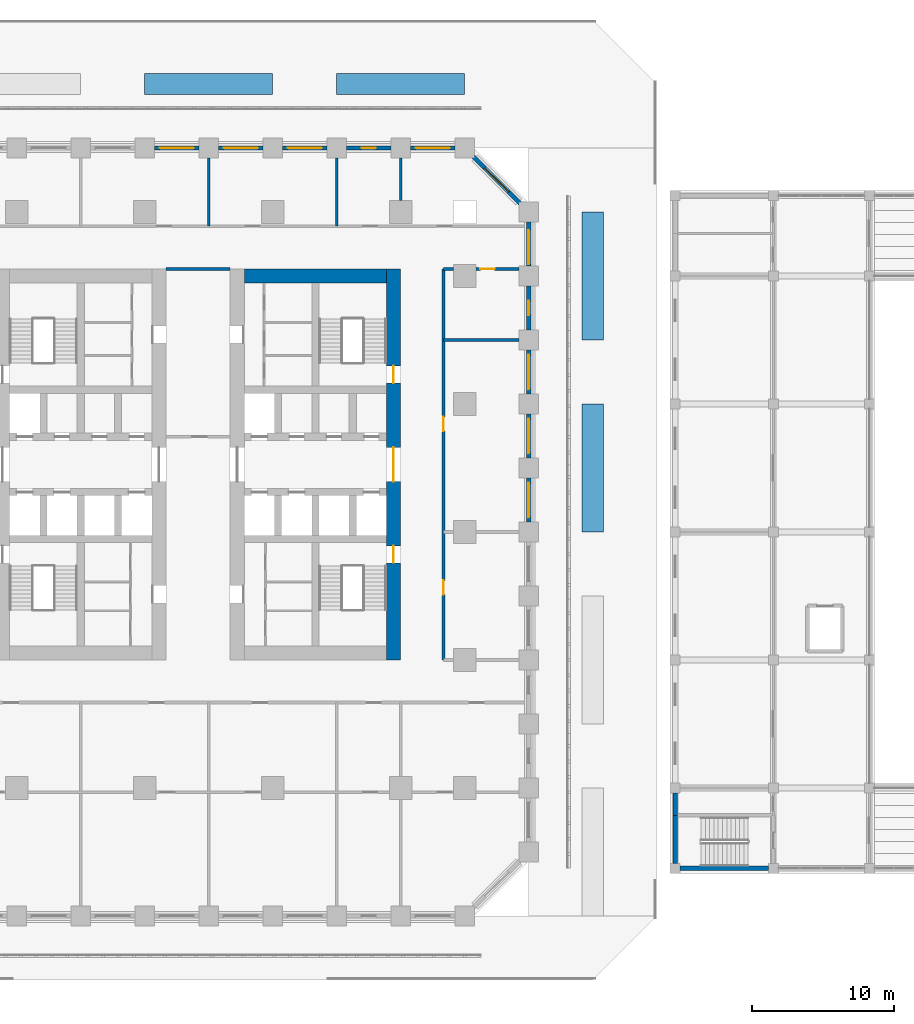
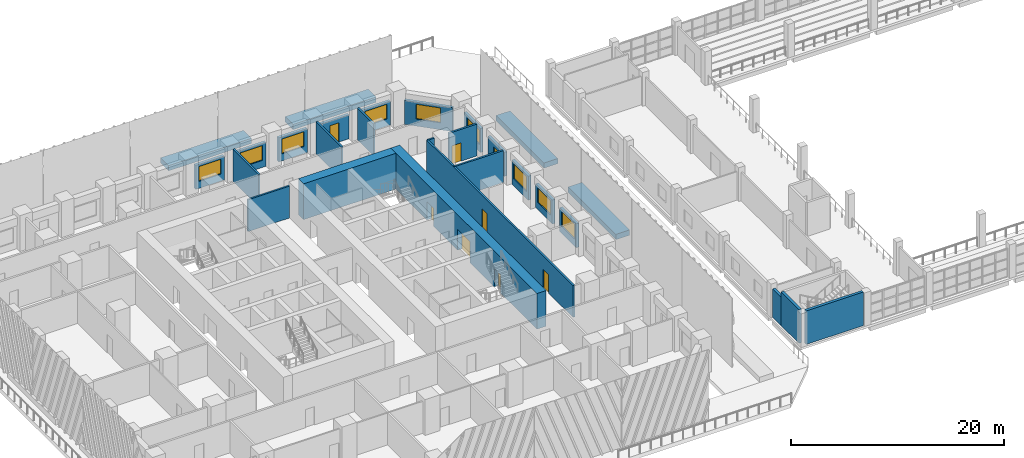
# One storey, part 22 of 36: 28 walls, 9 windows, 8 doors, 17 openings.
"""IFC4 building model written with IfcOpenShell, lengths in metres."""

from ifc_helpers import new_model, si_unit, direction, frame, frame_2d, origin, place, context, subcontext, project, spatial, rectangle, extrude, material, layer, layer_set, type_object, element, fill, save


model = new_model("IFC4")

# Units and contexts
model_context = context("Model", 3, precision=1e-05, world=origin(), true_north=direction((0.0, 1.0)))
body_context = subcontext(model_context, "Body", "Model", "MODEL_VIEW")
ifc_project = project(units=[si_unit("LENGTHUNIT", "METRE"), si_unit("AREAUNIT", "SQUARE_METRE"), si_unit("VOLUMEUNIT", "CUBIC_METRE"), si_unit("PLANEANGLEUNIT", "RADIAN"), si_unit("MASSUNIT", "GRAM", prefix="KILO")], contexts=[model_context])

# Site, building, storey
site_placement = place(None, origin())
site = spatial("IfcSite", under=ifc_project, at=site_placement, CompositionType="ELEMENT")
building_placement = place(site_placement, origin())
building = spatial("IfcBuilding", under=site, at=building_placement, Name="Corbel Stack Research Tower", CompositionType="ELEMENT")
storey_placement = place(building_placement, frame((0.0, 0.0, 7.199951171875)))
storey = spatial("IfcBuildingStorey", under=building, at=storey_placement, Name="L01", CompositionType="ELEMENT", Elevation=7.199951171875)

# Wall, openings, doors
ifc_material_1 = material(Name="Concrete C70/85", Category="concrete")
ifc_layer_1 = layer(ifc_material_1, 1.0)
ifc_layer_set_1 = layer_set([ifc_layer_1], Name="Concrete C70/85")
wall_type_1 = type_object("IfcWallType", Name="CW-1000-70", PredefinedType="SHEAR", material=ifc_layer_set_1)
wall_1_placement = place(storey_placement, frame((17.5, -9.0, 0.0), z_axis=(0.0, 0.0, 1.0), x_axis=(0.0, 1.0, 0.0)))
wall_1 = element("IfcWall", 1, at=wall_1_placement, inside=storey, type_object=wall_type_1, Name="East core wall, east face L01", PredefinedType="SHEAR", context=body_context, shape_type="SweptSolid", body=[
    extrude(rectangle(XDim=27.5, YDim=1.0, at=frame_2d((13.75, 0.0))), origin(), (0.0, 0.0, 1.0), 4.10009765625),
])
opening_1_placement = place(wall_1_placement, frame((12.550048828125, 0.0, 0.0)))
opening_1 = element("IfcOpeningElement", 2, at=opening_1_placement, cuts=wall_1, Name="Opening CD-E-E", PredefinedType="OPENING", context=body_context, shape_type="SweptSolid", body=[
    extrude(rectangle(XDim=2.39990234375, YDim=2.39990234375, at=frame_2d((1.199951171875, 1.199951171875))), frame((0.0, 0.510009765625, 0.0), z_axis=(0.0, -1.0, 0.0), x_axis=(1.0, 0.0, 0.0)), (0.0, 0.0, 1.0), 1.02001953125),
])
opening_2_placement = place(wall_1_placement, frame((6.824951171875, 0.0, 0.0)))
opening_2 = element("IfcOpeningElement", 3, at=opening_2_placement, cuts=wall_1, Name="Opening SD-ST-E1", PredefinedType="OPENING", context=body_context, shape_type="SweptSolid", body=[
    extrude(rectangle(XDim=1.199951171875, YDim=2.10009765625, at=frame_2d((0.60009765625, 1.050048828125))), frame((0.0, 0.510009765625, 0.0), z_axis=(0.0, -1.0, 0.0), x_axis=(1.0, 0.0, 0.0)), (0.0, 0.0, 1.0), 1.02001953125),
])
opening_3_placement = place(wall_1_placement, frame((19.47509765625, 0.0, 0.0)))
opening_3 = element("IfcOpeningElement", 4, at=opening_3_placement, cuts=wall_1, Name="Opening SD-ST-E2", PredefinedType="OPENING", context=body_context, shape_type="SweptSolid", body=[
    extrude(rectangle(XDim=1.199951171875, YDim=2.10009765625, at=frame_2d((0.60009765625, 1.050048828125))), frame((0.0, 0.510009765625, 0.0), z_axis=(0.0, -1.0, 0.0), x_axis=(1.0, 0.0, 0.0)), (0.0, 0.0, 1.0), 1.02001953125),
])
ifc_material_2 = material(Name="Painted steel fire door", Category="steel")
door_type_1 = type_object("IfcDoorType", Name="Lobby door pair 2400 x 2400 FD30S", OperationType="DOUBLE_DOOR_DOUBLE_SWING", PredefinedType="DOOR", material=ifc_material_2)
door_1_placement = place(opening_1_placement, origin())
door_1 = element("IfcDoor", 5, at=door_1_placement, inside=storey, type_object=door_type_1, Name="Lift lobby door E core E", OperationType="DOUBLE_DOOR_DOUBLE_SWING", OverallHeight=2.39990234375, OverallWidth=2.39990234375, PredefinedType="DOOR", context=body_context, shape_type="SweptSolid", body=[
    extrude(rectangle(XDim=2.39990234375, YDim=2.39990234375, at=frame_2d((1.199951171875, 1.199951171875))), frame((0.0, 0.02490234375, 0.0), z_axis=(0.0, -1.0, 0.0), x_axis=(1.0, 0.0, 0.0)), (0.0, 0.0, 1.0), 0.050048828125),
])
fill(opening_1, door_1)
ifc_material_3 = material(Name="Painted steel fire door", Category="steel")
door_type_2 = type_object("IfcDoorType", Name="Stair door 1200 x 2100 FD90 right hand", OperationType="SINGLE_SWING_RIGHT", PredefinedType="DOOR", material=ifc_material_3)
door_2_placement = place(opening_2_placement, frame((1.199951171875, 0.0, 0.0), z_axis=(0.0, 0.0, 1.0), x_axis=(-1.0, 0.0, 0.0)))
door_2 = element("IfcDoor", 6, at=door_2_placement, inside=storey, type_object=door_type_2, Name="Stair door ST-E1", OperationType="SINGLE_SWING_LEFT", OverallHeight=2.10009765625, OverallWidth=1.199951171875, PredefinedType="DOOR", context=body_context, shape_type="SweptSolid", body=[
    extrude(rectangle(XDim=1.199951171875, YDim=2.10009765625, at=frame_2d((0.60009765625, 1.050048828125))), frame((0.0, 0.02490234375, 0.0), z_axis=(0.0, -1.0, 0.0), x_axis=(1.0, 0.0, 0.0)), (0.0, 0.0, 1.0), 0.050048828125),
])
fill(opening_2, door_2)
door_3_placement = place(opening_3_placement, frame((1.199951171875, 0.0, 0.0), z_axis=(0.0, 0.0, 1.0), x_axis=(-1.0, 0.0, 0.0)))
door_3 = element("IfcDoor", 7, at=door_3_placement, inside=storey, type_object=door_type_2, Name="Stair door ST-E2", OperationType="SINGLE_SWING_LEFT", OverallHeight=2.10009765625, OverallWidth=1.199951171875, PredefinedType="DOOR", context=body_context, shape_type="SweptSolid", body=[
    extrude(rectangle(XDim=1.199951171875, YDim=2.10009765625, at=frame_2d((0.60009765625, 1.050048828125))), frame((0.0, 0.02490234375, 0.0), z_axis=(0.0, -1.0, 0.0), x_axis=(1.0, 0.0, 0.0)), (0.0, 0.0, 1.0), 0.050048828125),
])
fill(opening_3, door_3)

# Walls
wall_2_placement = place(storey_placement, frame((7.0, 18.0, 0.0), z_axis=(0.0, 0.0, 1.0), x_axis=(1.0, 0.0, 0.0)))
element("IfcWall", 8, at=wall_2_placement, inside=storey, type_object=wall_type_1, Name="East core wall, north end L01", PredefinedType="SHEAR", context=body_context, shape_type="SweptSolid", body=[
    extrude(rectangle(XDim=10.0, YDim=1.0, at=frame_2d((5.0, 0.0))), origin(), (0.0, 0.0, 1.0), 4.10009765625),
])
ifc_material_4 = material(Name="Fire-rated gypsum board partition on steel studs", Category="steel")
ifc_layer_2 = layer(ifc_material_4, 0.199951171875)
ifc_layer_set_2 = layer_set([ifc_layer_2], Name="Fire-rated gypsum board partition on steel studs")
wall_type_2 = type_object("IfcWallType", Name="Fire-rated partition 200 EI 60", PredefinedType="PARTITIONING", material=ifc_layer_set_2)
for number, where, z_axis, x_axis, name in (
    (9, (4.5, 21.5, 0.0), (0.0, 0.0, 1.0), (0.0, 1.0, 0.0), "Partition L01-009"),
    (10, (13.5, 21.5, 0.0), (0.0, 0.0, 1.0), (0.0, 1.0, 0.0), "Partition L01-011"),
):
    element("IfcWall", number, at=place(storey_placement, frame(where, z_axis=z_axis, x_axis=x_axis)), inside=storey, type_object=wall_type_2, Name=name, PredefinedType="PARTITIONING", context=body_context, shape_type="SweptSolid", body=[
        extrude(rectangle(XDim=4.800048828125, YDim=0.199951171875, at=frame_2d((2.39990234375, 0.0))), origin(), (0.0, 0.0, 1.0), 3.650146484375),
    ])
wall_3_placement = place(storey_placement, frame((18.0, 23.300048828125, 0.0), z_axis=(0.0, 0.0, 1.0), x_axis=(0.0, 1.0, 0.0)))
element("IfcWall", 11, at=wall_3_placement, inside=storey, type_object=wall_type_2, Name="Partition L01-014", PredefinedType="PARTITIONING", context=body_context, shape_type="SweptSolid", body=[
    extrude(rectangle(XDim=3.0, YDim=0.199951171875, at=frame_2d((1.5, 0.0))), origin(), (0.0, 0.0, 1.0), 3.650146484375),
])

# Wall, openings, doors
wall_4_placement = place(storey_placement, frame((21.0, 18.5, 0.0), z_axis=(0.0, 0.0, 1.0), x_axis=(0.0, -1.0, 0.0)))
wall_4 = element("IfcWall", 12, at=wall_4_placement, inside=storey, type_object=wall_type_2, Name="Partition L01-015", PredefinedType="PARTITIONING", context=body_context, shape_type="SweptSolid", body=[
    extrude(rectangle(XDim=27.5, YDim=0.199951171875, at=frame_2d((13.75, 0.0))), origin(), (0.0, 0.0, 1.0), 3.650146484375),
])
opening_4_placement = place(wall_4_placement, frame((21.89990234375, 0.0, 0.0)))
opening_4 = element("IfcOpeningElement", 13, at=opening_4_placement, cuts=wall_4, Name="Opening B1V0H-021", PredefinedType="OPENING", context=body_context, shape_type="SweptSolid", body=[
    extrude(rectangle(XDim=1.0, YDim=2.10009765625, at=frame_2d((0.5, 1.050048828125))), frame((0.0, 0.10986328125, 0.0), z_axis=(0.0, -1.0, 0.0), x_axis=(1.0, 0.0, 0.0)), (0.0, 0.0, 1.0), 0.219970703125),
])
opening_5_placement = place(wall_4_placement, frame((10.39990234375, 0.0, 0.0)))
opening_5 = element("IfcOpeningElement", 14, at=opening_5_placement, cuts=wall_4, Name="Opening B1V0H-022", PredefinedType="OPENING", context=body_context, shape_type="SweptSolid", body=[
    extrude(rectangle(XDim=1.0, YDim=2.10009765625, at=frame_2d((0.5, 1.050048828125))), frame((0.0, 0.10986328125, 0.0), z_axis=(0.0, -1.0, 0.0), x_axis=(1.0, 0.0, 0.0)), (0.0, 0.0, 1.0), 0.219970703125),
])
ifc_material_5 = material(Name="Painted steel fire door", Category="steel")
door_type_3 = type_object("IfcDoorType", Name="Fire door FD30S 1000 x 2100", OperationType="NOTDEFINED", PredefinedType="DOOR", material=ifc_material_5)
door_4_placement = place(opening_4_placement, origin())
door_4 = element("IfcDoor", 15, at=door_4_placement, inside=storey, type_object=door_type_3, Name="Door B1V0H-021", OperationType="SINGLE_SWING_RIGHT", OverallHeight=2.10009765625, OverallWidth=1.0, PredefinedType="DOOR", context=body_context, shape_type="SweptSolid", body=[
    extrude(rectangle(XDim=1.0, YDim=2.10009765625, at=frame_2d((0.5, 1.050048828125))), frame((0.0, 0.02490234375, 0.0), z_axis=(0.0, -1.0, 0.0), x_axis=(1.0, 0.0, 0.0)), (0.0, 0.0, 1.0), 0.050048828125),
])
fill(opening_4, door_4)
door_5_placement = place(opening_5_placement, origin())
door_5 = element("IfcDoor", 16, at=door_5_placement, inside=storey, type_object=door_type_3, Name="Door B1V0H-022", OperationType="SINGLE_SWING_LEFT", OverallHeight=2.10009765625, OverallWidth=1.0, PredefinedType="DOOR", context=body_context, shape_type="SweptSolid", body=[
    extrude(rectangle(XDim=1.0, YDim=2.10009765625, at=frame_2d((0.5, 1.050048828125))), frame((0.0, 0.02490234375, 0.0), z_axis=(0.0, -1.0, 0.0), x_axis=(1.0, 0.0, 0.0)), (0.0, 0.0, 1.0), 0.050048828125),
])
fill(opening_5, door_5)

# Walls
wall_5_placement = place(storey_placement, frame((21.0, 13.5, 0.0), z_axis=(0.0, 0.0, 1.0), x_axis=(1.0, 0.0, 0.0)))
element("IfcWall", 17, at=wall_5_placement, inside=storey, type_object=wall_type_2, Name="Partition L01-034", PredefinedType="PARTITIONING", context=body_context, shape_type="SweptSolid", body=[
    extrude(rectangle(XDim=5.300048828125, YDim=0.199951171875, at=frame_2d((2.64990234375, 0.0))), origin(), (0.0, 0.0, 1.0), 3.650146484375),
])
wall_6_placement = place(storey_placement, frame((1.5, 18.5, 0.0), z_axis=(0.0, 0.0, 1.0), x_axis=(1.0, 0.0, 0.0)))
element("IfcWall", 18, at=wall_6_placement, inside=storey, type_object=wall_type_2, Name="Partition L01-037", PredefinedType="PARTITIONING", context=body_context, shape_type="SweptSolid", body=[
    extrude(rectangle(XDim=4.5, YDim=0.199951171875, at=frame_2d((2.25, 0.0))), origin(), (0.0, 0.0, 1.0), 3.650146484375),
])
wall_7_placement = place(storey_placement, frame((21.0, 18.5, 0.0), z_axis=(0.0, 0.0, 1.0), x_axis=(1.0, 0.0, 0.0)))
element("IfcWall", 19, at=wall_7_placement, inside=storey, type_object=wall_type_2, Name="Partition L01-038", PredefinedType="PARTITIONING", context=body_context, shape_type="SweptSolid", body=[
    extrude(rectangle(XDim=0.699951171875, YDim=0.199951171875, at=frame_2d((0.35009765625, 0.0))), origin(), (0.0, 0.0, 1.0), 3.650146484375),
])

# Wall, opening, door
wall_8_placement = place(storey_placement, frame((26.300048828125, 18.5, 0.0), z_axis=(0.0, 0.0, 1.0), x_axis=(-1.0, 0.0, 0.0)))
wall_8 = element("IfcWall", 20, at=wall_8_placement, inside=storey, type_object=wall_type_2, Name="Partition L01-039", PredefinedType="PARTITIONING", context=body_context, shape_type="SweptSolid", body=[
    extrude(rectangle(XDim=3.0, YDim=0.199951171875, at=frame_2d((1.5, 0.0))), origin(), (0.0, 0.0, 1.0), 3.650146484375),
])
opening_6_placement = place(wall_8_placement, frame((1.699951171875, 0.0, 0.0)))
opening_6 = element("IfcOpeningElement", 21, at=opening_6_placement, cuts=wall_8, Name="Opening B1V0H-020", PredefinedType="OPENING", context=body_context, shape_type="SweptSolid", body=[
    extrude(rectangle(XDim=1.0, YDim=2.10009765625, at=frame_2d((0.5, 1.050048828125))), frame((0.0, 0.10986328125, 0.0), z_axis=(0.0, -1.0, 0.0), x_axis=(1.0, 0.0, 0.0)), (0.0, 0.0, 1.0), 0.219970703125),
])
door_6_placement = place(opening_6_placement, origin())
door_6 = element("IfcDoor", 22, at=door_6_placement, inside=storey, type_object=door_type_3, Name="Door B1V0H-020", OperationType="SINGLE_SWING_RIGHT", OverallHeight=2.10009765625, OverallWidth=1.0, PredefinedType="DOOR", context=body_context, shape_type="SweptSolid", body=[
    extrude(rectangle(XDim=1.0, YDim=2.10009765625, at=frame_2d((0.5, 1.050048828125))), frame((0.0, 0.02490234375, 0.0), z_axis=(0.0, -1.0, 0.0), x_axis=(1.0, 0.0, 0.0)), (0.0, 0.0, 1.0), 0.050048828125),
])
fill(opening_6, door_6)

# Walls
ifc_material_6 = material(Name="Concrete C40/50", Category="concrete")
ifc_layer_3 = layer(ifc_material_6, 0.300048828125)
ifc_layer_set_3 = layer_set([ifc_layer_3], Name="Concrete C40/50")
wall_type_3 = type_object("IfcWallType", Name="HW1 exterior wall 300", PredefinedType="SOLIDWALL", material=ifc_layer_set_3)
wall_9_placement = place(storey_placement, frame((37.300048828125, -19.925048828125, 0.0), z_axis=(0.0, 0.0, 1.0), x_axis=(0.0, 1.0, 0.0)))
element("IfcWall", 23, at=wall_9_placement, inside=storey, type_object=wall_type_3, Name="Exterior wall L01 v37.30/-19.9", PredefinedType="SOLIDWALL", context=body_context, shape_type="SweptSolid", body=[
    extrude(rectangle(XDim=1.574951171875, YDim=0.300048828125, at=frame_2d((0.78759765625, 0.0))), origin(), (0.0, 0.0, 1.0), 3.25),
])
ifc_material_7 = material(Name="Concrete C40/50", Category="concrete")
ifc_layer_4 = layer(ifc_material_7, 0.300048828125)
ifc_layer_set_4 = layer_set([ifc_layer_4], Name="Concrete C40/50")
wall_type_4 = type_object("IfcWallType", Name="HW6 exterior wall C40/50 300", PredefinedType="SHEAR", material=ifc_layer_set_4)
wall_10_placement = place(storey_placement, frame((37.64990234375, -23.64990234375, 0.0), z_axis=(0.0, 0.0, 1.0), x_axis=(1.0, 0.0, 0.0)))
element("IfcWall", 24, at=wall_10_placement, inside=storey, type_object=wall_type_4, Name="Exterior wall L01 h-23.65/37.6", PredefinedType="SHEAR", context=body_context, shape_type="SweptSolid", body=[
    extrude(rectangle(XDim=6.2001953125, YDim=0.300048828125, at=frame_2d((3.10009765625, 0.0))), origin(), (0.0, 0.0, 1.0), 3.85009765625),
])
wall_11_placement = place(storey_placement, frame((37.300048828125, -23.300048828125, 0.0), z_axis=(0.0, 0.0, 1.0), x_axis=(0.0, 1.0, 0.0)))
element("IfcWall", 25, at=wall_11_placement, inside=storey, type_object=wall_type_4, Name="Exterior wall L01 v37.30/-23.3", PredefinedType="SHEAR", context=body_context, shape_type="SweptSolid", body=[
    extrude(rectangle(XDim=3.375, YDim=0.300048828125, at=frame_2d((1.6875, 0.0))), origin(), (0.0, 0.0, 1.0), 3.85009765625),
])
ifc_material_8 = material(Name="Concrete C30/37", Category="concrete")
ifc_layer_5 = layer(ifc_material_8, 1.5)
ifc_layer_set_5 = layer_set([ifc_layer_5], Name="Concrete C30/37")
wall_type_5 = type_object("IfcWallType", Name="SW2 planter bed 1500", PredefinedType="SOLIDWALL", material=ifc_layer_set_5)
for number, where, z_axis, x_axis, name in (
    (26, (0.0, 31.5, 0.0), (0.0, 0.0, 1.0), (1.0, 0.0, 0.0), "PLANTER 3"),
    (27, (13.5, 31.5, 0.0), (0.0, 0.0, 1.0), (1.0, 0.0, 0.0), "PLANTER 4"),
    (28, (31.5, 0.0, 0.0), (0.0, 0.0, 1.0), (0.0, 1.0, 0.0), "PLANTER 10"),
    (29, (31.5, 13.5, 0.0), (0.0, 0.0, 1.0), (0.0, 1.0, 0.0), "PLANTER 11"),
):
    element("IfcWall", number, at=place(storey_placement, frame(where, z_axis=z_axis, x_axis=x_axis)), inside=storey, type_object=wall_type_5, Name=name, PredefinedType="SOLIDWALL", context=body_context, shape_type="SweptSolid", body=[
        extrude(rectangle(XDim=9.0, YDim=1.5, at=frame_2d((4.5, 0.0))), origin(), (0.0, 0.0, 1.0), 0.60009765625),
    ])

# Wall, opening, window
ifc_material_9 = material(Name="Concrete C45/55", Category="concrete")
ifc_layer_6 = layer(ifc_material_9, 0.300048828125)
ifc_layer_set_6 = layer_set([ifc_layer_6], Name="Concrete C45/55")
wall_type_6 = type_object("IfcWallType", Name="Terracotta-faced concrete wall 300", PredefinedType="SOLIDWALL", material=ifc_layer_set_6)
wall_12_placement = place(storey_placement, frame((27.0, 3.800048828125, 0.0), z_axis=(0.0, 0.0, 1.0), x_axis=(0.0, -1.0, 0.0)))
wall_12 = element("IfcWall", 30, at=wall_12_placement, inside=storey, type_object=wall_type_6, Name="Facade wall L01 E06", PredefinedType="SOLIDWALL", context=body_context, shape_type="SweptSolid", body=[
    extrude(rectangle(XDim=3.10009765625, YDim=0.300048828125, at=frame_2d((1.550048828125, 0.0))), origin(), (0.0, 0.0, 1.0), 2.75),
])
opening_7_placement = place(wall_12_placement, frame((0.35009765625, 0.0, 0.800048828125)))
opening_7 = element("IfcOpeningElement", 31, at=opening_7_placement, cuts=wall_12, Name="Opening W1", PredefinedType="OPENING", context=body_context, shape_type="SweptSolid", body=[
    extrude(rectangle(XDim=2.39990234375, YDim=1.699951171875, at=frame_2d((1.199951171875, 0.85009765625))), frame((0.0, 0.159912109375, 0.0), z_axis=(0.0, -1.0, 0.0), x_axis=(1.0, 0.0, 0.0)), (0.0, 0.0, 1.0), 0.320068359375),
])
ifc_material_10 = material(Name="Aluminium frame, clear double glazing", Category="aluminium")
window_type = type_object("IfcWindowType", Name="Window W1 2400 x 1700", PartitioningType="SINGLE_PANEL", PredefinedType="WINDOW", material=ifc_material_10)
window_1_placement = place(opening_7_placement, origin())
window_1 = element("IfcWindow", 32, at=window_1_placement, inside=storey, type_object=window_type, Name="Window W1 L01 E06", OverallHeight=1.699951171875, OverallWidth=2.39990234375, PartitioningType="SINGLE_PANEL", PredefinedType="WINDOW", context=body_context, shape_type="SweptSolid", body=[
    extrude(rectangle(XDim=2.39990234375, YDim=1.699951171875, at=frame_2d((1.199951171875, 0.85009765625))), frame((0.0, 0.030029296875, 0.0), z_axis=(0.0, -1.0, 0.0), x_axis=(1.0, 0.0, 0.0)), (0.0, 0.0, 1.0), 0.06005859375),
])
fill(opening_7, window_1)

wall_13_placement = place(storey_placement, frame((27.0, 8.300048828125, 0.0), z_axis=(0.0, 0.0, 1.0), x_axis=(0.0, -1.0, 0.0)))
wall_13 = element("IfcWall", 33, at=wall_13_placement, inside=storey, type_object=wall_type_6, Name="Facade wall L01 E07", PredefinedType="SOLIDWALL", context=body_context, shape_type="SweptSolid", body=[
    extrude(rectangle(XDim=3.10009765625, YDim=0.300048828125, at=frame_2d((1.550048828125, 0.0))), origin(), (0.0, 0.0, 1.0), 2.75),
])
opening_8_placement = place(wall_13_placement, frame((0.35009765625, 0.0, 0.800048828125)))
opening_8 = element("IfcOpeningElement", 34, at=opening_8_placement, cuts=wall_13, Name="Opening W1", PredefinedType="OPENING", context=body_context, shape_type="SweptSolid", body=[
    extrude(rectangle(XDim=2.39990234375, YDim=1.699951171875, at=frame_2d((1.199951171875, 0.85009765625))), frame((0.0, 0.159912109375, 0.0), z_axis=(0.0, -1.0, 0.0), x_axis=(1.0, 0.0, 0.0)), (0.0, 0.0, 1.0), 0.320068359375),
])
window_2_placement = place(opening_8_placement, origin())
window_2 = element("IfcWindow", 35, at=window_2_placement, inside=storey, type_object=window_type, Name="Window W1 L01 E07", OverallHeight=1.699951171875, OverallWidth=2.39990234375, PartitioningType="SINGLE_PANEL", PredefinedType="WINDOW", context=body_context, shape_type="SweptSolid", body=[
    extrude(rectangle(XDim=2.39990234375, YDim=1.699951171875, at=frame_2d((1.199951171875, 0.85009765625))), frame((0.0, 0.030029296875, 0.0), z_axis=(0.0, -1.0, 0.0), x_axis=(1.0, 0.0, 0.0)), (0.0, 0.0, 1.0), 0.06005859375),
])
fill(opening_8, window_2)

wall_14_placement = place(storey_placement, frame((27.0, 12.800048828125, 0.0), z_axis=(0.0, 0.0, 1.0), x_axis=(0.0, -1.0, 0.0)))
wall_14 = element("IfcWall", 36, at=wall_14_placement, inside=storey, type_object=wall_type_6, Name="Facade wall L01 E08", PredefinedType="SOLIDWALL", context=body_context, shape_type="SweptSolid", body=[
    extrude(rectangle(XDim=3.10009765625, YDim=0.300048828125, at=frame_2d((1.550048828125, 0.0))), origin(), (0.0, 0.0, 1.0), 2.75),
])
opening_9_placement = place(wall_14_placement, frame((0.35009765625, 0.0, 0.800048828125)))
opening_9 = element("IfcOpeningElement", 37, at=opening_9_placement, cuts=wall_14, Name="Opening W1", PredefinedType="OPENING", context=body_context, shape_type="SweptSolid", body=[
    extrude(rectangle(XDim=2.39990234375, YDim=1.699951171875, at=frame_2d((1.199951171875, 0.85009765625))), frame((0.0, 0.159912109375, 0.0), z_axis=(0.0, -1.0, 0.0), x_axis=(1.0, 0.0, 0.0)), (0.0, 0.0, 1.0), 0.320068359375),
])
window_3_placement = place(opening_9_placement, origin())
window_3 = element("IfcWindow", 38, at=window_3_placement, inside=storey, type_object=window_type, Name="Window W1 L01 E08", OverallHeight=1.699951171875, OverallWidth=2.39990234375, PartitioningType="SINGLE_PANEL", PredefinedType="WINDOW", context=body_context, shape_type="SweptSolid", body=[
    extrude(rectangle(XDim=2.39990234375, YDim=1.699951171875, at=frame_2d((1.199951171875, 0.85009765625))), frame((0.0, 0.030029296875, 0.0), z_axis=(0.0, -1.0, 0.0), x_axis=(1.0, 0.0, 0.0)), (0.0, 0.0, 1.0), 0.06005859375),
])
fill(opening_9, window_3)

# Wall, opening, door
wall_15_placement = place(storey_placement, frame((27.0, 17.300048828125, 0.0), z_axis=(0.0, 0.0, 1.0), x_axis=(0.0, -1.0, 0.0)))
wall_15 = element("IfcWall", 39, at=wall_15_placement, inside=storey, type_object=wall_type_6, Name="Facade wall L01 E09", PredefinedType="SOLIDWALL", context=body_context, shape_type="SweptSolid", body=[
    extrude(rectangle(XDim=3.10009765625, YDim=0.300048828125, at=frame_2d((1.550048828125, 0.0))), origin(), (0.0, 0.0, 1.0), 2.75),
])
opening_10_placement = place(wall_15_placement, frame((1.050048828125, 0.0, 0.0)))
opening_10 = element("IfcOpeningElement", 40, at=opening_10_placement, cuts=wall_15, Name="Opening L01-B04", PredefinedType="OPENING", context=body_context, shape_type="SweptSolid", body=[
    extrude(rectangle(XDim=1.0, YDim=2.199951171875, at=frame_2d((0.5, 1.10009765625))), frame((0.0, 0.159912109375, 0.0), z_axis=(0.0, -1.0, 0.0), x_axis=(1.0, 0.0, 0.0)), (0.0, 0.0, 1.0), 0.320068359375),
])
ifc_material_11 = material(Name="Aluminium frame, clear double glazing", Category="aluminium")
door_type_4 = type_object("IfcDoorType", Name="Balcony door BD1 1000 x 2200", OperationType="NOTDEFINED", PredefinedType="DOOR", material=ifc_material_11)
door_7_placement = place(opening_10_placement, origin())
door_7 = element("IfcDoor", 41, at=door_7_placement, inside=storey, type_object=door_type_4, Name="Balcony door L01-B04", OperationType="SINGLE_SWING_RIGHT", OverallHeight=2.199951171875, OverallWidth=1.0, PredefinedType="DOOR", context=body_context, shape_type="SweptSolid", body=[
    extrude(rectangle(XDim=1.0, YDim=2.199951171875, at=frame_2d((0.5, 1.10009765625))), frame((0.0, 0.02490234375, 0.0), z_axis=(0.0, -1.0, 0.0), x_axis=(1.0, 0.0, 0.0)), (0.0, 0.0, 1.0), 0.050048828125),
])
fill(opening_10, door_7)

# Wall, opening, window
wall_16_placement = place(storey_placement, frame((27.0, 21.800048828125, 0.0), z_axis=(0.0, 0.0, 1.0), x_axis=(0.0, -1.0, 0.0)))
wall_16 = element("IfcWall", 42, at=wall_16_placement, inside=storey, type_object=wall_type_6, Name="Facade wall L01 E10", PredefinedType="SOLIDWALL", context=body_context, shape_type="SweptSolid", body=[
    extrude(rectangle(XDim=3.10009765625, YDim=0.300048828125, at=frame_2d((1.550048828125, 0.0))), origin(), (0.0, 0.0, 1.0), 2.75),
])
opening_11_placement = place(wall_16_placement, frame((0.574951171875, 0.0, 0.800048828125)))
opening_11 = element("IfcOpeningElement", 43, at=opening_11_placement, cuts=wall_16, Name="Opening W1", PredefinedType="OPENING", context=body_context, shape_type="SweptSolid", body=[
    extrude(rectangle(XDim=2.39990234375, YDim=1.699951171875, at=frame_2d((1.199951171875, 0.85009765625))), frame((0.0, 0.159912109375, 0.0), z_axis=(0.0, -1.0, 0.0), x_axis=(1.0, 0.0, 0.0)), (0.0, 0.0, 1.0), 0.320068359375),
])
window_4_placement = place(opening_11_placement, origin())
window_4 = element("IfcWindow", 44, at=window_4_placement, inside=storey, type_object=window_type, Name="Window W1 L01 E10", OverallHeight=1.699951171875, OverallWidth=2.39990234375, PartitioningType="SINGLE_PANEL", PredefinedType="WINDOW", context=body_context, shape_type="SweptSolid", body=[
    extrude(rectangle(XDim=2.39990234375, YDim=1.699951171875, at=frame_2d((1.199951171875, 0.85009765625))), frame((0.0, 0.030029296875, 0.0), z_axis=(0.0, -1.0, 0.0), x_axis=(1.0, 0.0, 0.0)), (0.0, 0.0, 1.0), 0.06005859375),
])
fill(opening_11, window_4)

wall_17_placement = place(storey_placement, frame((23.093994140625, 26.406005859375, 0.0), z_axis=(0.0, 0.0, 1.0), x_axis=(0.707106781187, -0.707106781187, 0.0)))
wall_17 = element("IfcWall", 45, at=wall_17_placement, inside=storey, type_object=wall_type_6, Name="Facade wall L01 NE01", PredefinedType="SOLIDWALL", context=body_context, shape_type="SweptSolid", body=[
    extrude(rectangle(XDim=4.683837890625, YDim=0.300048828125, at=frame_2d((2.341796875, 0.0))), origin(), (0.0, 0.0, 1.0), 2.75),
])
opening_12_placement = place(wall_17_placement, frame((1.14208984375, 0.0, 0.800048828125)))
opening_12 = element("IfcOpeningElement", 46, at=opening_12_placement, cuts=wall_17, Name="Opening W1", PredefinedType="OPENING", context=body_context, shape_type="SweptSolid", body=[
    extrude(rectangle(XDim=2.39990234375, YDim=1.699951171875, at=frame_2d((1.199951171875, 0.85009765625))), frame((0.0, 0.159912109375, 0.0), z_axis=(0.0, -1.0, 0.0), x_axis=(1.0, 0.0, 0.0)), (0.0, 0.0, 1.0), 0.320068359375),
])
window_5_placement = place(opening_12_placement, origin())
window_5 = element("IfcWindow", 47, at=window_5_placement, inside=storey, type_object=window_type, Name="Window W1 L01 NE01", OverallHeight=1.699951171875, OverallWidth=2.39990234375, PartitioningType="SINGLE_PANEL", PredefinedType="WINDOW", context=body_context, shape_type="SweptSolid", body=[
    extrude(rectangle(XDim=2.39990234375, YDim=1.699951171875, at=frame_2d((1.199951171875, 0.85009765625))), frame((0.0, 0.030029296875, 0.0), z_axis=(0.0, -1.0, 0.0), x_axis=(1.0, 0.0, 0.0)), (0.0, 0.0, 1.0), 0.06005859375),
])
fill(opening_12, window_5)

wall_18_placement = place(storey_placement, frame((18.699951171875, 27.0, 0.0), z_axis=(0.0, 0.0, 1.0), x_axis=(1.0, 0.0, 0.0)))
wall_18 = element("IfcWall", 48, at=wall_18_placement, inside=storey, type_object=wall_type_6, Name="Facade wall L01 N01", PredefinedType="SOLIDWALL", context=body_context, shape_type="SweptSolid", body=[
    extrude(rectangle(XDim=3.10009765625, YDim=0.300048828125, at=frame_2d((1.550048828125, 0.0))), origin(), (0.0, 0.0, 1.0), 2.75),
])
opening_13_placement = place(wall_18_placement, frame((0.35009765625, 0.0, 0.800048828125)))
opening_13 = element("IfcOpeningElement", 49, at=opening_13_placement, cuts=wall_18, Name="Opening W1", PredefinedType="OPENING", context=body_context, shape_type="SweptSolid", body=[
    extrude(rectangle(XDim=2.39990234375, YDim=1.699951171875, at=frame_2d((1.199951171875, 0.85009765625))), frame((0.0, 0.159912109375, 0.0), z_axis=(0.0, -1.0, 0.0), x_axis=(1.0, 0.0, 0.0)), (0.0, 0.0, 1.0), 0.320068359375),
])
window_6_placement = place(opening_13_placement, origin())
window_6 = element("IfcWindow", 50, at=window_6_placement, inside=storey, type_object=window_type, Name="Window W1 L01 N01", OverallHeight=1.699951171875, OverallWidth=2.39990234375, PartitioningType="SINGLE_PANEL", PredefinedType="WINDOW", context=body_context, shape_type="SweptSolid", body=[
    extrude(rectangle(XDim=2.39990234375, YDim=1.699951171875, at=frame_2d((1.199951171875, 0.85009765625))), frame((0.0, 0.030029296875, 0.0), z_axis=(0.0, -1.0, 0.0), x_axis=(1.0, 0.0, 0.0)), (0.0, 0.0, 1.0), 0.06005859375),
])
fill(opening_13, window_6)

# Wall, opening, door
wall_19_placement = place(storey_placement, frame((14.199951171875, 27.0, 0.0), z_axis=(0.0, 0.0, 1.0), x_axis=(1.0, 0.0, 0.0)))
wall_19 = element("IfcWall", 51, at=wall_19_placement, inside=storey, type_object=wall_type_6, Name="Facade wall L01 N02", PredefinedType="SOLIDWALL", context=body_context, shape_type="SweptSolid", body=[
    extrude(rectangle(XDim=3.10009765625, YDim=0.300048828125, at=frame_2d((1.550048828125, 0.0))), origin(), (0.0, 0.0, 1.0), 2.75),
])
opening_14_placement = place(wall_19_placement, frame((1.050048828125, 0.0, 0.0)))
opening_14 = element("IfcOpeningElement", 52, at=opening_14_placement, cuts=wall_19, Name="Opening L01-B05", PredefinedType="OPENING", context=body_context, shape_type="SweptSolid", body=[
    extrude(rectangle(XDim=1.0, YDim=2.199951171875, at=frame_2d((0.5, 1.10009765625))), frame((0.0, 0.159912109375, 0.0), z_axis=(0.0, -1.0, 0.0), x_axis=(1.0, 0.0, 0.0)), (0.0, 0.0, 1.0), 0.320068359375),
])
door_8_placement = place(opening_14_placement, origin())
door_8 = element("IfcDoor", 53, at=door_8_placement, inside=storey, type_object=door_type_4, Name="Balcony door L01-B05", OperationType="SINGLE_SWING_LEFT", OverallHeight=2.199951171875, OverallWidth=1.0, PredefinedType="DOOR", context=body_context, shape_type="SweptSolid", body=[
    extrude(rectangle(XDim=1.0, YDim=2.199951171875, at=frame_2d((0.5, 1.10009765625))), frame((0.0, 0.02490234375, 0.0), z_axis=(0.0, -1.0, 0.0), x_axis=(1.0, 0.0, 0.0)), (0.0, 0.0, 1.0), 0.050048828125),
])
fill(opening_14, door_8)

# Wall, opening, window
wall_20_placement = place(storey_placement, frame((9.699951171875, 27.0, 0.0), z_axis=(0.0, 0.0, 1.0), x_axis=(1.0, 0.0, 0.0)))
wall_20 = element("IfcWall", 54, at=wall_20_placement, inside=storey, type_object=wall_type_6, Name="Facade wall L01 N03", PredefinedType="SOLIDWALL", context=body_context, shape_type="SweptSolid", body=[
    extrude(rectangle(XDim=3.10009765625, YDim=0.300048828125, at=frame_2d((1.550048828125, 0.0))), origin(), (0.0, 0.0, 1.0), 2.75),
])
opening_15_placement = place(wall_20_placement, frame((0.35009765625, 0.0, 0.800048828125)))
opening_15 = element("IfcOpeningElement", 55, at=opening_15_placement, cuts=wall_20, Name="Opening W1", PredefinedType="OPENING", context=body_context, shape_type="SweptSolid", body=[
    extrude(rectangle(XDim=2.39990234375, YDim=1.699951171875, at=frame_2d((1.199951171875, 0.85009765625))), frame((0.0, 0.159912109375, 0.0), z_axis=(0.0, -1.0, 0.0), x_axis=(1.0, 0.0, 0.0)), (0.0, 0.0, 1.0), 0.320068359375),
])
window_7_placement = place(opening_15_placement, origin())
window_7 = element("IfcWindow", 56, at=window_7_placement, inside=storey, type_object=window_type, Name="Window W1 L01 N03", OverallHeight=1.699951171875, OverallWidth=2.39990234375, PartitioningType="SINGLE_PANEL", PredefinedType="WINDOW", context=body_context, shape_type="SweptSolid", body=[
    extrude(rectangle(XDim=2.39990234375, YDim=1.699951171875, at=frame_2d((1.199951171875, 0.85009765625))), frame((0.0, 0.030029296875, 0.0), z_axis=(0.0, -1.0, 0.0), x_axis=(1.0, 0.0, 0.0)), (0.0, 0.0, 1.0), 0.06005859375),
])
fill(opening_15, window_7)

wall_21_placement = place(storey_placement, frame((5.199951171875, 27.0, 0.0), z_axis=(0.0, 0.0, 1.0), x_axis=(1.0, 0.0, 0.0)))
wall_21 = element("IfcWall", 57, at=wall_21_placement, inside=storey, type_object=wall_type_6, Name="Facade wall L01 N04", PredefinedType="SOLIDWALL", context=body_context, shape_type="SweptSolid", body=[
    extrude(rectangle(XDim=3.10009765625, YDim=0.300048828125, at=frame_2d((1.550048828125, 0.0))), origin(), (0.0, 0.0, 1.0), 2.75),
])
opening_16_placement = place(wall_21_placement, frame((0.35009765625, 0.0, 0.800048828125)))
opening_16 = element("IfcOpeningElement", 58, at=opening_16_placement, cuts=wall_21, Name="Opening W1", PredefinedType="OPENING", context=body_context, shape_type="SweptSolid", body=[
    extrude(rectangle(XDim=2.39990234375, YDim=1.699951171875, at=frame_2d((1.199951171875, 0.85009765625))), frame((0.0, 0.159912109375, 0.0), z_axis=(0.0, -1.0, 0.0), x_axis=(1.0, 0.0, 0.0)), (0.0, 0.0, 1.0), 0.320068359375),
])
window_8_placement = place(opening_16_placement, origin())
window_8 = element("IfcWindow", 59, at=window_8_placement, inside=storey, type_object=window_type, Name="Window W1 L01 N04", OverallHeight=1.699951171875, OverallWidth=2.39990234375, PartitioningType="SINGLE_PANEL", PredefinedType="WINDOW", context=body_context, shape_type="SweptSolid", body=[
    extrude(rectangle(XDim=2.39990234375, YDim=1.699951171875, at=frame_2d((1.199951171875, 0.85009765625))), frame((0.0, 0.030029296875, 0.0), z_axis=(0.0, -1.0, 0.0), x_axis=(1.0, 0.0, 0.0)), (0.0, 0.0, 1.0), 0.06005859375),
])
fill(opening_16, window_8)

wall_22_placement = place(storey_placement, frame((0.699951171875, 27.0, 0.0), z_axis=(0.0, 0.0, 1.0), x_axis=(1.0, 0.0, 0.0)))
wall_22 = element("IfcWall", 60, at=wall_22_placement, inside=storey, type_object=wall_type_6, Name="Facade wall L01 N05", PredefinedType="SOLIDWALL", context=body_context, shape_type="SweptSolid", body=[
    extrude(rectangle(XDim=3.10009765625, YDim=0.300048828125, at=frame_2d((1.550048828125, 0.0))), origin(), (0.0, 0.0, 1.0), 2.75),
])
opening_17_placement = place(wall_22_placement, frame((0.35009765625, 0.0, 0.800048828125)))
opening_17 = element("IfcOpeningElement", 61, at=opening_17_placement, cuts=wall_22, Name="Opening W1", PredefinedType="OPENING", context=body_context, shape_type="SweptSolid", body=[
    extrude(rectangle(XDim=2.39990234375, YDim=1.699951171875, at=frame_2d((1.199951171875, 0.85009765625))), frame((0.0, 0.159912109375, 0.0), z_axis=(0.0, -1.0, 0.0), x_axis=(1.0, 0.0, 0.0)), (0.0, 0.0, 1.0), 0.320068359375),
])
window_9_placement = place(opening_17_placement, origin())
window_9 = element("IfcWindow", 62, at=window_9_placement, inside=storey, type_object=window_type, Name="Window W1 L01 N05", OverallHeight=1.699951171875, OverallWidth=2.39990234375, PartitioningType="SINGLE_PANEL", PredefinedType="WINDOW", context=body_context, shape_type="SweptSolid", body=[
    extrude(rectangle(XDim=2.39990234375, YDim=1.699951171875, at=frame_2d((1.199951171875, 0.85009765625))), frame((0.0, 0.030029296875, 0.0), z_axis=(0.0, -1.0, 0.0), x_axis=(1.0, 0.0, 0.0)), (0.0, 0.0, 1.0), 0.06005859375),
])
fill(opening_17, window_9)

save(model, "model.ifc")
